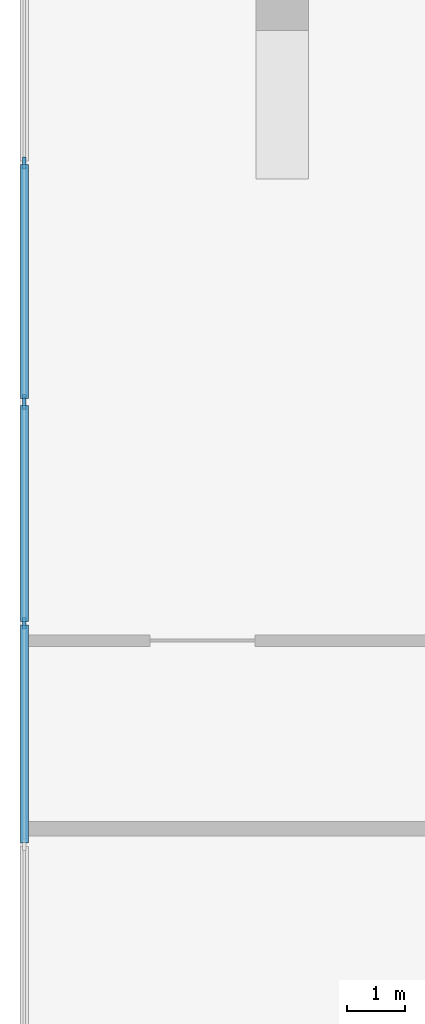
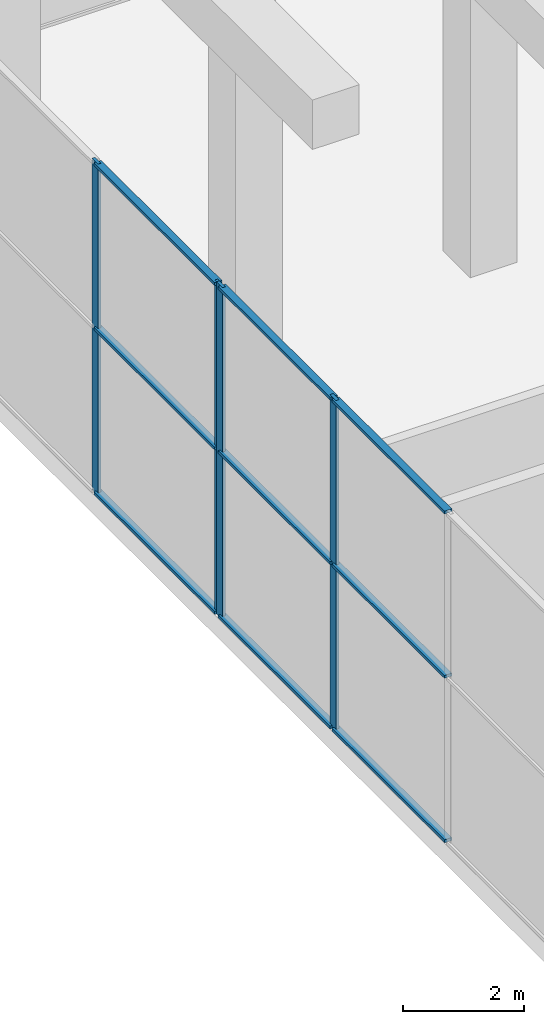
# One storey, part 3 of 23: 13 members, 2 elements without a shape of their own.
"""IFC4 building model written with IfcOpenShell, lengths in metres."""

from ifc_helpers import new_model, si_unit, direction, frame, origin, origin_2d, place, context, subcontext, project, spatial, rectangle, extrude, material, material_profile, profile_set, type_object, element, aggregate, save


model = new_model("IFC4")

# Units and contexts
model_context = context("Model", 3, precision=1e-05, world=origin(), true_north=direction((0.0, 1.0)))
body_context = subcontext(model_context, "Body", "Model", "MODEL_VIEW")
ifc_project = project(units=[si_unit("LENGTHUNIT", "METRE"), si_unit("AREAUNIT", "SQUARE_METRE"), si_unit("VOLUMEUNIT", "CUBIC_METRE"), si_unit("PLANEANGLEUNIT", "RADIAN"), si_unit("MASSUNIT", "GRAM", prefix="KILO")], contexts=[model_context])

# Site, building, storey
site_placement = place(None, origin())
site = spatial("IfcSite", under=ifc_project, at=site_placement, CompositionType="ELEMENT")
building_placement = place(site_placement, origin())
building = spatial("IfcBuilding", under=site, at=building_placement, Name="Kajstack Hotel Tower", CompositionType="ELEMENT")
storey_placement = place(building_placement, frame((0.0, 0.0, 53.0)))
storey = spatial("IfcBuildingStorey", under=building, at=storey_placement, Name="L08", CompositionType="ELEMENT", Elevation=53.0)

# Curtain wall, members
ifc_material_1 = material(Name="Aluminium-framed curtain wall, low-iron insulated glass", Category="aluminium")
curtain_wall_type = type_object("IfcCurtainWallType", Name="CW-GARDEN", PredefinedType="NOTDEFINED", material=ifc_material_1)
curtain_wall_1_placement = place(storey_placement, origin())
curtain_wall_1 = element("IfcCurtainWall", 1, at=curtain_wall_1_placement, inside=storey, type_object=curtain_wall_type, Name="Curtain wall CU6 L08-15-00-0", PredefinedType="NOTDEFINED")
ifc_material_2 = material(Name="Aluminium", Category="aluminium")
ifc_material_profile_1 = material_profile(ifc_material_2, rectangle(XDim=0.06005859375, YDim=0.199951171875, at=origin_2d()), Name="Aluminium mullion 60 x 200")
ifc_profile_set_1 = profile_set([ifc_material_profile_1], Name="Aluminium")
member_type_1 = type_object("IfcMemberType", Name="CW-M-GARDEN", PredefinedType="MULLION", material=ifc_profile_set_1)
member_1_placement = place(storey_placement, frame((-44.925048828125, 9.800048828125, 0.0), z_axis=(0.0, 0.0, 1.0), x_axis=(1.0, 0.0, 0.0)))
member_1 = element("IfcMember", 2, at=member_1_placement, type_object=member_type_1, Name="CU6 mullion 3", PredefinedType="MULLION", context=body_context, shape_type="SweptSolid", body=[
    extrude(rectangle(XDim=0.06005859375, YDim=0.199951171875, at=origin_2d()), origin(), (0.0, 0.0, 1.0), 6.719970703125),
])
member_2_placement = place(storey_placement, frame((-44.925048828125, 5.72998046875, 0.0), z_axis=(0.0, 0.0, 1.0), x_axis=(1.0, 0.0, 0.0)))
member_2 = element("IfcMember", 3, at=member_2_placement, type_object=member_type_1, Name="CU6 mullion 4", PredefinedType="MULLION", context=body_context, shape_type="SweptSolid", body=[
    extrude(rectangle(XDim=0.06005859375, YDim=0.199951171875, at=origin_2d()), origin(), (0.0, 0.0, 1.0), 6.719970703125),
])

curtain_wall_2_placement = place(storey_placement, origin())
curtain_wall_2 = element("IfcCurtainWall", 4, at=curtain_wall_2_placement, inside=storey, type_object=curtain_wall_type, Name="Curtain wall CU6 L08-15-00-1", PredefinedType="NOTDEFINED")
member_3_placement = place(storey_placement, frame((-44.925048828125, 5.669921875, 0.0), z_axis=(0.0, 0.0, 1.0), x_axis=(1.0, 0.0, 0.0)))
member_3 = element("IfcMember", 5, at=member_3_placement, type_object=member_type_1, Name="CU6 mullion 1", PredefinedType="MULLION", context=body_context, shape_type="SweptSolid", body=[
    extrude(rectangle(XDim=0.06005859375, YDim=0.199951171875, at=origin_2d()), origin(), (0.0, 0.0, 1.0), 6.719970703125),
])
member_4_placement = place(storey_placement, frame((-44.925048828125, 1.89990234375, 0.0), z_axis=(0.0, 0.0, 1.0), x_axis=(1.0, 0.0, 0.0)))
member_4 = element("IfcMember", 6, at=member_4_placement, type_object=member_type_1, Name="CU6 mullion 2", PredefinedType="MULLION", context=body_context, shape_type="SweptSolid", body=[
    extrude(rectangle(XDim=0.06005859375, YDim=0.199951171875, at=origin_2d()), origin(), (0.0, 0.0, 1.0), 6.719970703125),
])

# Member
ifc_material_profile_2 = material_profile(ifc_material_2, rectangle(XDim=0.139892578125, YDim=0.06005859375, at=origin_2d()), Name="Aluminium transom 140 x 60")
ifc_profile_set_2 = profile_set([ifc_material_profile_2], Name="Aluminium")
member_type_2 = type_object("IfcMemberType", Name="CW-T-GARDEN", PredefinedType="USERDEFINED", material=ifc_profile_set_2)
member_5_placement = place(storey_placement, frame((-44.925048828125, 9.77001953125, 0.030029296875), z_axis=(0.0, -1.0, 0.0), x_axis=(1.0, 0.0, 0.0)))
member_5 = element("IfcMember", 7, at=member_5_placement, type_object=member_type_2, Name="CU6 transom 3.1", ObjectType="TRANSOM", PredefinedType="USERDEFINED", context=body_context, shape_type="SweptSolid", body=[
    extrude(rectangle(XDim=0.139892578125, YDim=0.06005859375, at=origin_2d()), origin(), (0.0, 0.0, 1.0), 4.010009765625),
])

member_6_placement = place(storey_placement, frame((-44.925048828125, 9.77001953125, 3.360107421875), z_axis=(0.0, -1.0, 0.0), x_axis=(1.0, 0.0, 0.0)))
member_6 = element("IfcMember", 8, at=member_6_placement, type_object=member_type_2, Name="CU6 transom 3.2", ObjectType="TRANSOM", PredefinedType="USERDEFINED", context=body_context, shape_type="SweptSolid", body=[
    extrude(rectangle(XDim=0.139892578125, YDim=0.06005859375, at=origin_2d()), origin(), (0.0, 0.0, 1.0), 4.010009765625),
])

member_7_placement = place(storey_placement, frame((-44.925048828125, 9.77001953125, 6.68994140625), z_axis=(0.0, -1.0, 0.0), x_axis=(1.0, 0.0, 0.0)))
member_7 = element("IfcMember", 9, at=member_7_placement, type_object=member_type_2, Name="CU6 transom 3.3", ObjectType="TRANSOM", PredefinedType="USERDEFINED", context=body_context, shape_type="SweptSolid", body=[
    extrude(rectangle(XDim=0.139892578125, YDim=0.06005859375, at=origin_2d()), origin(), (0.0, 0.0, 1.0), 4.010009765625),
])

aggregate(curtain_wall_1, [member_1, member_2, member_5, member_6, member_7])

member_8_placement = place(storey_placement, frame((-44.925048828125, 5.639892578125, 0.030029296875), z_axis=(0.0, -1.0, 0.0), x_axis=(1.0, 0.0, 0.0)))
member_8 = element("IfcMember", 10, at=member_8_placement, type_object=member_type_2, Name="CU6 transom 1.1", ObjectType="TRANSOM", PredefinedType="USERDEFINED", context=body_context, shape_type="SweptSolid", body=[
    extrude(rectangle(XDim=0.139892578125, YDim=0.06005859375, at=origin_2d()), origin(), (0.0, 0.0, 1.0), 3.7099609375),
])

member_9_placement = place(storey_placement, frame((-44.925048828125, 5.639892578125, 3.360107421875), z_axis=(0.0, -1.0, 0.0), x_axis=(1.0, 0.0, 0.0)))
member_9 = element("IfcMember", 11, at=member_9_placement, type_object=member_type_2, Name="CU6 transom 1.2", ObjectType="TRANSOM", PredefinedType="USERDEFINED", context=body_context, shape_type="SweptSolid", body=[
    extrude(rectangle(XDim=0.139892578125, YDim=0.06005859375, at=origin_2d()), origin(), (0.0, 0.0, 1.0), 3.7099609375),
])

member_10_placement = place(storey_placement, frame((-44.925048828125, 5.639892578125, 6.68994140625), z_axis=(0.0, -1.0, 0.0), x_axis=(1.0, 0.0, 0.0)))
member_10 = element("IfcMember", 12, at=member_10_placement, type_object=member_type_2, Name="CU6 transom 1.3", ObjectType="TRANSOM", PredefinedType="USERDEFINED", context=body_context, shape_type="SweptSolid", body=[
    extrude(rectangle(XDim=0.139892578125, YDim=0.06005859375, at=origin_2d()), origin(), (0.0, 0.0, 1.0), 3.7099609375),
])

member_11_placement = place(storey_placement, frame((-44.925048828125, 1.8701171875, 0.030029296875), z_axis=(0.0, -1.0, 0.0), x_axis=(1.0, 0.0, 0.0)))
member_11 = element("IfcMember", 13, at=member_11_placement, type_object=member_type_2, Name="CU6 transom 2.1", ObjectType="TRANSOM", PredefinedType="USERDEFINED", context=body_context, shape_type="SweptSolid", body=[
    extrude(rectangle(XDim=0.139892578125, YDim=0.06005859375, at=origin_2d()), origin(), (0.0, 0.0, 1.0), 3.740234375),
])

member_12_placement = place(storey_placement, frame((-44.925048828125, 1.8701171875, 3.360107421875), z_axis=(0.0, -1.0, 0.0), x_axis=(1.0, 0.0, 0.0)))
member_12 = element("IfcMember", 14, at=member_12_placement, type_object=member_type_2, Name="CU6 transom 2.2", ObjectType="TRANSOM", PredefinedType="USERDEFINED", context=body_context, shape_type="SweptSolid", body=[
    extrude(rectangle(XDim=0.139892578125, YDim=0.06005859375, at=origin_2d()), origin(), (0.0, 0.0, 1.0), 3.740234375),
])

member_13_placement = place(storey_placement, frame((-44.925048828125, 1.8701171875, 6.68994140625), z_axis=(0.0, -1.0, 0.0), x_axis=(1.0, 0.0, 0.0)))
member_13 = element("IfcMember", 15, at=member_13_placement, type_object=member_type_2, Name="CU6 transom 2.3", ObjectType="TRANSOM", PredefinedType="USERDEFINED", context=body_context, shape_type="SweptSolid", body=[
    extrude(rectangle(XDim=0.139892578125, YDim=0.06005859375, at=origin_2d()), origin(), (0.0, 0.0, 1.0), 3.740234375),
])

aggregate(curtain_wall_2, [member_3, member_4, member_8, member_9, member_10, member_11, member_12, member_13])

save(model, "model.ifc")
